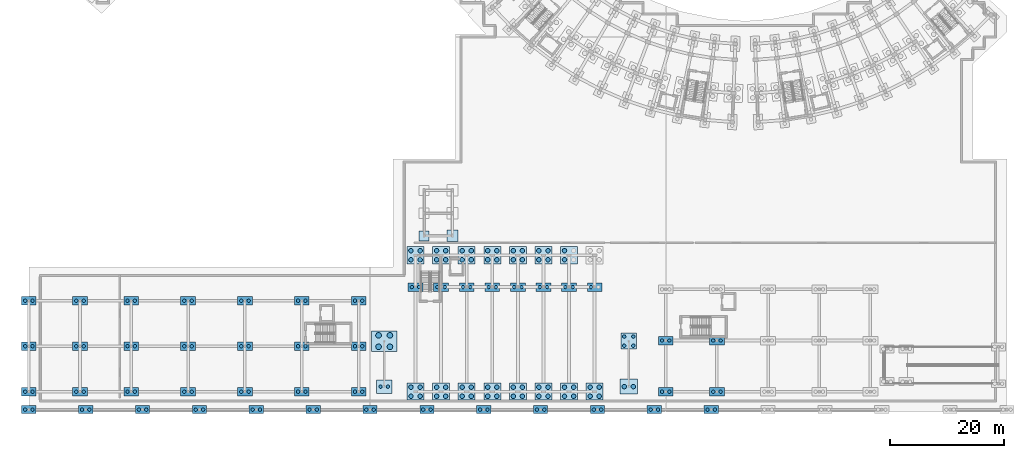
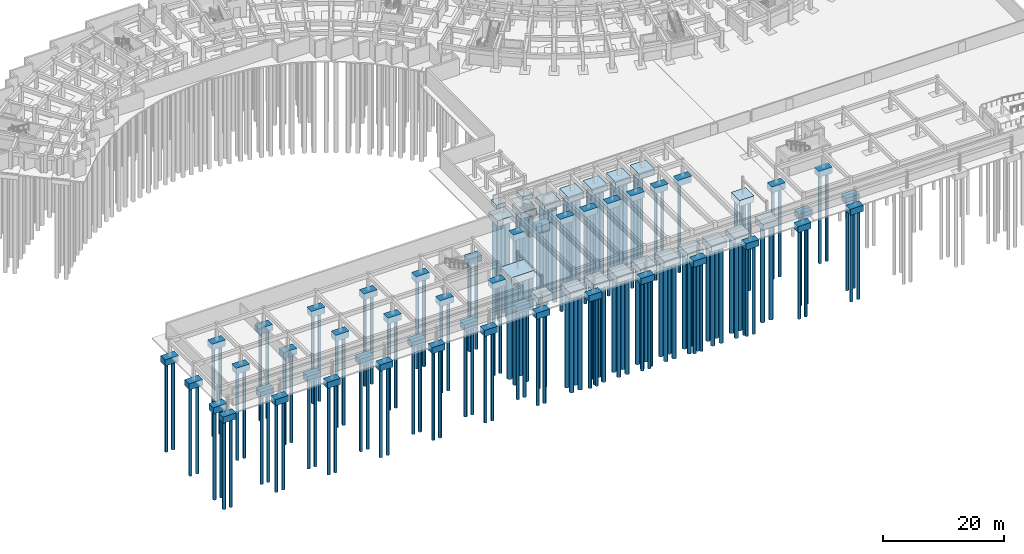
# One storey, part 1 of 32: 161 piles, 67 footings.
"""IFC4 building model written with IfcOpenShell, lengths in metres."""

from ifc_helpers import new_model, si_unit, direction, frame, origin, origin_2d, place, context, subcontext, project, spatial, rectangle, circle, extrude, material, material_profile, profile_set, type_object, element, save


model = new_model("IFC4")

# Units and contexts
model_context = context("Model", 3, precision=1e-05, world=origin(), true_north=direction((0.0, 1.0)))
body_context = subcontext(model_context, "Body", "Model", "MODEL_VIEW")
ifc_project = project(units=[si_unit("LENGTHUNIT", "METRE"), si_unit("AREAUNIT", "SQUARE_METRE"), si_unit("VOLUMEUNIT", "CUBIC_METRE"), si_unit("PLANEANGLEUNIT", "RADIAN"), si_unit("MASSUNIT", "GRAM", prefix="KILO")], contexts=[model_context])

# Site, building, storey
site_placement = place(None, origin())
site = spatial("IfcSite", under=ifc_project, at=site_placement, CompositionType="ELEMENT")
building_placement = place(site_placement, origin())
building = spatial("IfcBuilding", under=site, at=building_placement, Name="Zimvara Arc Housing Community", CompositionType="ELEMENT")
storey_placement = place(building_placement, frame((0.0, 0.0, -3.60009765625)))
storey = spatial("IfcBuildingStorey", under=building, at=storey_placement, Name="B1", CompositionType="ELEMENT", Elevation=-3.60009765625)

# Footings
ifc_material_1 = material(Name="Concrete C35/45", Category="concrete")
footing_type_1 = type_object("IfcFootingType", Name="FTG-PAD-1800x1800x900", PredefinedType="PAD_FOOTING", material=ifc_material_1)
footing_1_placement = place(storey_placement, frame((69.5, 31.0, -0.89990234375), z_axis=(0.0, 0.0, 1.0), x_axis=(1.0, 0.0, 0.0)))
element("IfcFooting", 1, at=footing_1_placement, inside=storey, type_object=footing_type_1, Name="ftg:pad:1", PredefinedType="PAD_FOOTING", context=body_context, shape_type="SweptSolid", body=[
    extrude(rectangle(XDim=1.800048828125, YDim=1.800048828125, at=origin_2d()), origin(), (0.0, 0.0, 1.0), 0.89990234375),
])
ifc_material_2 = material(Name="Concrete C35/45", Category="concrete")
footing_type_2 = type_object("IfcFootingType", Name="FTG-PAD-2000x2000x950", PredefinedType="PAD_FOOTING", material=ifc_material_2)
footing_2_placement = place(storey_placement, frame((74.5, 31.0, -0.94970703125), z_axis=(0.0, 0.0, 1.0), x_axis=(1.0, 0.0, 0.0)))
element("IfcFooting", 2, at=footing_2_placement, inside=storey, type_object=footing_type_2, Name="ftg:pad:2", PredefinedType="PAD_FOOTING", context=body_context, shape_type="SweptSolid", body=[
    extrude(rectangle(XDim=2.0, YDim=2.0, at=origin_2d()), origin(), (0.0, 0.0, 1.0), 0.949951171875),
])
ifc_material_3 = material(Name="Concrete C35/45", Category="concrete")
footing_type_3 = type_object("IfcFootingType", Name="FTG-PC2-2200x1400x1250", PredefinedType="PILE_CAP", material=ifc_material_3)
for number, where, z_axis, x_axis, name in (
    (3, (0.0, 0.449951171875, -1.25), (0.0, 0.0, 1.0), (1.0, 0.0, 0.0), "ftg:colonnade:0"),
    (4, (10.0, 0.449951171875, -1.25), (0.0, 0.0, 1.0), (1.0, 0.0, 0.0), "ftg:colonnade:1"),
    (5, (20.0, 0.449951171875, -1.25), (0.0, 0.0, 1.0), (1.0, 0.0, 0.0), "ftg:colonnade:2"),
    (6, (30.0, 0.449951171875, -1.25), (0.0, 0.0, 1.0), (1.0, 0.0, 0.0), "ftg:colonnade:3"),
    (7, (40.0, 0.449951171875, -1.25), (0.0, 0.0, 1.0), (1.0, 0.0, 0.0), "ftg:colonnade:4"),
    (8, (50.0, 0.449951171875, -1.25), (0.0, 0.0, 1.0), (1.0, 0.0, 0.0), "ftg:colonnade:5"),
    (9, (60.0, 0.449951171875, -1.25), (0.0, 0.0, 1.0), (1.0, 0.0, 0.0), "ftg:colonnade:6"),
    (10, (70.0, 0.449951171875, -1.25), (0.0, 0.0, 1.0), (1.0, 0.0, 0.0), "ftg:colonnade:7"),
    (11, (80.0, 0.449951171875, -1.25), (0.0, 0.0, 1.0), (1.0, 0.0, 0.0), "ftg:colonnade:8"),
    (12, (90.0, 0.449951171875, -1.25), (0.0, 0.0, 1.0), (1.0, 0.0, 0.0), "ftg:colonnade:9"),
    (13, (100.0, 0.449951171875, -1.25), (0.0, 0.0, 1.0), (1.0, 0.0, 0.0), "ftg:colonnade:10"),
    (14, (110.0, 0.449951171875, -1.25), (0.0, 0.0, 1.0), (1.0, 0.0, 0.0), "ftg:colonnade:11"),
    (15, (120.0, 0.449951171875, -1.25), (0.0, 0.0, 1.0), (1.0, 0.0, 0.0), "ftg:colonnade:12"),
):
    element("IfcFooting", number, at=place(storey_placement, frame(where, z_axis=z_axis, x_axis=x_axis)), inside=storey, type_object=footing_type_3, Name=name, PredefinedType="PILE_CAP", context=body_context, shape_type="SweptSolid", body=[
        extrude(rectangle(XDim=2.5, YDim=1.39990234375, at=origin_2d()), origin(), (0.0, 0.0, 1.0), 1.25),
    ])
ifc_material_4 = material(Name="Concrete C35/45", Category="concrete")
footing_type_4 = type_object("IfcFootingType", Name="FTG-PC2-2400x1500x1250", PredefinedType="PILE_CAP", material=ifc_material_4)
for number, where, z_axis, x_axis, name in (
    (16, (68.0, 22.0, -1.25), (0.0, 0.0, 1.0), (1.0, 0.0, 0.0), "ftg:hall:gal:x0"),
    (17, (72.5, 22.0, -1.25), (0.0, 0.0, 1.0), (1.0, 0.0, 0.0), "ftg:hall:gal:x1"),
    (18, (77.0, 22.0, -1.25), (0.0, 0.0, 1.0), (1.0, 0.0, 0.0), "ftg:hall:gal:x2"),
    (19, (81.5, 22.0, -1.25), (0.0, 0.0, 1.0), (1.0, 0.0, 0.0), "ftg:hall:gal:x3"),
    (20, (86.0, 22.0, -1.25), (0.0, 0.0, 1.0), (1.0, 0.0, 0.0), "ftg:hall:gal:x4"),
    (21, (90.5, 22.0, -1.25), (0.0, 0.0, 1.0), (1.0, 0.0, 0.0), "ftg:hall:gal:x5"),
    (22, (95.0, 22.0, -1.25), (0.0, 0.0, 1.0), (1.0, 0.0, 0.0), "ftg:hall:gal:x6"),
    (23, (99.5, 22.0, -1.25), (0.0, 0.0, 1.0), (1.0, 0.0, 0.0), "ftg:hall:gal:x7"),
    (24, (112.0, 3.60009765625, -1.25), (0.0, 0.0, 1.0), (1.0, 0.0, 0.0), "ftg:nursery:x0:y0"),
    (25, (112.0, 12.60009765625, -1.25), (0.0, 0.0, 1.0), (1.0, 0.0, 0.0), "ftg:nursery:x0:y1"),
    (26, (121.0, 3.60009765625, -1.25), (0.0, 0.0, 1.0), (1.0, 0.0, 0.0), "ftg:nursery:x1:y0"),
    (27, (121.0, 12.60009765625, -1.25), (0.0, 0.0, 1.0), (1.0, 0.0, 0.0), "ftg:nursery:x1:y1"),
    (28, (0.0, 3.60009765625, -1.25), (0.0, 0.0, 1.0), (1.0, 0.0, 0.0), "ftg:shops:x0:y0"),
    (29, (0.0, 11.60009765625, -1.25), (0.0, 0.0, 1.0), (1.0, 0.0, 0.0), "ftg:shops:x0:y1"),
    (30, (0.0, 19.60009765625, -1.25), (0.0, 0.0, 1.0), (1.0, 0.0, 0.0), "ftg:shops:x0:y2"),
    (31, (9.0, 3.60009765625, -1.25), (0.0, 0.0, 1.0), (1.0, 0.0, 0.0), "ftg:shops:x1:y0"),
    (32, (9.0, 11.60009765625, -1.25), (0.0, 0.0, 1.0), (1.0, 0.0, 0.0), "ftg:shops:x1:y1"),
    (33, (9.0, 19.60009765625, -1.25), (0.0, 0.0, 1.0), (1.0, 0.0, 0.0), "ftg:shops:x1:y2"),
    (34, (18.0, 3.60009765625, -1.25), (0.0, 0.0, 1.0), (1.0, 0.0, 0.0), "ftg:shops:x2:y0"),
    (35, (18.0, 11.60009765625, -1.25), (0.0, 0.0, 1.0), (1.0, 0.0, 0.0), "ftg:shops:x2:y1"),
    (36, (18.0, 19.60009765625, -1.25), (0.0, 0.0, 1.0), (1.0, 0.0, 0.0), "ftg:shops:x2:y2"),
    (37, (28.0, 3.60009765625, -1.25), (0.0, 0.0, 1.0), (1.0, 0.0, 0.0), "ftg:shops:x3:y0"),
    (38, (28.0, 11.60009765625, -1.25), (0.0, 0.0, 1.0), (1.0, 0.0, 0.0), "ftg:shops:x3:y1"),
    (39, (28.0, 19.60009765625, -1.25), (0.0, 0.0, 1.0), (1.0, 0.0, 0.0), "ftg:shops:x3:y2"),
    (40, (38.0, 3.60009765625, -1.25), (0.0, 0.0, 1.0), (1.0, 0.0, 0.0), "ftg:shops:x4:y0"),
    (41, (38.0, 11.60009765625, -1.25), (0.0, 0.0, 1.0), (1.0, 0.0, 0.0), "ftg:shops:x4:y1"),
    (42, (38.0, 19.60009765625, -1.25), (0.0, 0.0, 1.0), (1.0, 0.0, 0.0), "ftg:shops:x4:y2"),
    (43, (48.0, 3.60009765625, -1.25), (0.0, 0.0, 1.0), (1.0, 0.0, 0.0), "ftg:shops:x5:y0"),
    (44, (48.0, 11.60009765625, -1.25), (0.0, 0.0, 1.0), (1.0, 0.0, 0.0), "ftg:shops:x5:y1"),
    (45, (48.0, 19.60009765625, -1.25), (0.0, 0.0, 1.0), (1.0, 0.0, 0.0), "ftg:shops:x5:y2"),
    (46, (58.0, 3.60009765625, -1.25), (0.0, 0.0, 1.0), (1.0, 0.0, 0.0), "ftg:shops:x6:y0"),
    (47, (58.0, 11.60009765625, -1.25), (0.0, 0.0, 1.0), (1.0, 0.0, 0.0), "ftg:shops:x6:y1"),
    (48, (58.0, 19.60009765625, -1.25), (0.0, 0.0, 1.0), (1.0, 0.0, 0.0), "ftg:shops:x6:y2"),
):
    element("IfcFooting", number, at=place(storey_placement, frame(where, z_axis=z_axis, x_axis=x_axis)), inside=storey, type_object=footing_type_4, Name=name, PredefinedType="PILE_CAP", context=body_context, shape_type="SweptSolid", body=[
        extrude(rectangle(XDim=2.60009765625, YDim=1.5, at=origin_2d()), origin(), (0.0, 0.0, 1.0), 1.25),
    ])
ifc_material_5 = material(Name="Concrete C35/45", Category="concrete")
footing_type_5 = type_object("IfcFootingType", Name="FTG-PC3-2600x2400x1250", PredefinedType="PILE_CAP", material=ifc_material_5)
footing_3_placement = place(storey_placement, frame((62.5, 4.5, -1.25), z_axis=(0.0, 0.0, 1.0), x_axis=(1.0, 0.0, 0.0)))
element("IfcFooting", 49, at=footing_3_placement, inside=storey, type_object=footing_type_5, Name="ftg:portal:w", PredefinedType="PILE_CAP", context=body_context, shape_type="SweptSolid", body=[
    extrude(rectangle(XDim=2.760009765625, YDim=2.39990234375, at=origin_2d()), origin(), (0.0, 0.0, 1.0), 1.25),
])
ifc_material_6 = material(Name="Concrete C35/45", Category="concrete")
footing_type_6 = type_object("IfcFootingType", Name="FTG-PC3-2800x2600x1250", PredefinedType="PILE_CAP", material=ifc_material_6)
footing_4_placement = place(storey_placement, frame((105.5, 4.5, -1.25), z_axis=(0.0, 0.0, 1.0), x_axis=(1.0, 0.0, 0.0)))
element("IfcFooting", 50, at=footing_4_placement, inside=storey, type_object=footing_type_6, Name="ftg:portal:e", PredefinedType="PILE_CAP", context=body_context, shape_type="SweptSolid", body=[
    extrude(rectangle(XDim=3.0, YDim=2.60009765625, at=origin_2d()), origin(), (0.0, 0.0, 1.0), 1.25),
])
ifc_material_7 = material(Name="Concrete C35/45", Category="concrete")
footing_type_7 = type_object("IfcFootingType", Name="FTG-PC4-2600x2600x1250", PredefinedType="PILE_CAP", material=ifc_material_7)
footing_5_placement = place(storey_placement, frame((105.5, 12.5, -1.25), z_axis=(0.0, 0.0, 1.0), x_axis=(1.0, 0.0, 0.0)))
element("IfcFooting", 51, at=footing_5_placement, inside=storey, type_object=footing_type_7, Name="ftg:corepad:2", PredefinedType="PILE_CAP", context=body_context, shape_type="SweptSolid", body=[
    extrude(rectangle(XDim=2.800048828125, YDim=2.800048828125, at=origin_2d()), origin(), (0.0, 0.0, 1.0), 1.25),
])
ifc_material_8 = material(Name="Concrete C35/45", Category="concrete")
footing_type_8 = type_object("IfcFootingType", Name="FTG-PC4-2800x2800x1250", PredefinedType="PILE_CAP", material=ifc_material_8)
for number, where, z_axis, x_axis, name in (
    (52, (68.0, 3.60009765625, -1.25), (0.0, 0.0, 1.0), (1.0, 0.0, 0.0), "ftg:hall:x0:y0"),
    (53, (68.0, 27.60009765625, -1.25), (0.0, 0.0, 1.0), (1.0, 0.0, 0.0), "ftg:hall:x0:y1"),
    (54, (72.5, 3.60009765625, -1.25), (0.0, 0.0, 1.0), (1.0, 0.0, 0.0), "ftg:hall:x1:y0"),
    (55, (72.5, 27.60009765625, -1.25), (0.0, 0.0, 1.0), (1.0, 0.0, 0.0), "ftg:hall:x1:y1"),
    (56, (77.0, 3.60009765625, -1.25), (0.0, 0.0, 1.0), (1.0, 0.0, 0.0), "ftg:hall:x2:y0"),
    (57, (77.0, 27.60009765625, -1.25), (0.0, 0.0, 1.0), (1.0, 0.0, 0.0), "ftg:hall:x2:y1"),
    (58, (81.5, 3.60009765625, -1.25), (0.0, 0.0, 1.0), (1.0, 0.0, 0.0), "ftg:hall:x3:y0"),
    (59, (81.5, 27.60009765625, -1.25), (0.0, 0.0, 1.0), (1.0, 0.0, 0.0), "ftg:hall:x3:y1"),
    (60, (86.0, 3.60009765625, -1.25), (0.0, 0.0, 1.0), (1.0, 0.0, 0.0), "ftg:hall:x4:y0"),
    (61, (86.0, 27.60009765625, -1.25), (0.0, 0.0, 1.0), (1.0, 0.0, 0.0), "ftg:hall:x4:y1"),
    (62, (90.5, 3.60009765625, -1.25), (0.0, 0.0, 1.0), (1.0, 0.0, 0.0), "ftg:hall:x5:y0"),
    (63, (90.5, 27.60009765625, -1.25), (0.0, 0.0, 1.0), (1.0, 0.0, 0.0), "ftg:hall:x5:y1"),
    (64, (95.0, 3.60009765625, -1.25), (0.0, 0.0, 1.0), (1.0, 0.0, 0.0), "ftg:hall:x6:y0"),
    (65, (95.0, 27.60009765625, -1.25), (0.0, 0.0, 1.0), (1.0, 0.0, 0.0), "ftg:hall:x6:y1"),
    (66, (99.5, 3.60009765625, -1.25), (0.0, 0.0, 1.0), (1.0, 0.0, 0.0), "ftg:hall:x7:y0"),
):
    element("IfcFooting", number, at=place(storey_placement, frame(where, z_axis=z_axis, x_axis=x_axis)), inside=storey, type_object=footing_type_8, Name=name, PredefinedType="PILE_CAP", context=body_context, shape_type="SweptSolid", body=[
        extrude(rectangle(XDim=3.0, YDim=3.0, at=origin_2d()), origin(), (0.0, 0.0, 1.0), 1.25),
    ])
ifc_material_9 = material(Name="Concrete C35/45", Category="concrete")
footing_type_9 = type_object("IfcFootingType", Name="FTG-PC6-4400x3200x1450", PredefinedType="PILE_CAP", material=ifc_material_9)
footing_6_placement = place(storey_placement, frame((62.5, 12.5, -1.44970703125), z_axis=(0.0, 0.0, 1.0), x_axis=(1.0, 0.0, 0.0)))
element("IfcFooting", 67, at=footing_6_placement, inside=storey, type_object=footing_type_9, Name="ftg:corepad:1", PredefinedType="PILE_CAP", context=body_context, shape_type="SweptSolid", body=[
    extrude(rectangle(XDim=4.39990234375, YDim=3.60009765625, at=origin_2d()), origin(), (0.0, 0.0, 1.0), 1.449951171875),
])

# Piles
ifc_material_10 = material(Name="Concrete C35/45", Category="concrete")
ifc_material_profile_1 = material_profile(ifc_material_10, circle(Radius=0.5, at=origin_2d()), Name="PILE D1000")
ifc_profile_set_1 = profile_set([ifc_material_profile_1], Name="Concrete C35/45")
pile_type_1 = type_object("IfcPileType", Name="PIL-BORED-D1000", PredefinedType="BORED", material=ifc_profile_set_1)
for number, where, z_axis, x_axis, name in (
    (68, (61.5, 11.5, -1.349853515625), (0.0, 0.0, -1.0), (1.0, 0.0, 0.0), "pile:corepad:1:1"),
    (69, (63.5, 11.5, -1.349853515625), (0.0, 0.0, -1.0), (1.0, 0.0, 0.0), "pile:corepad:1:2"),
    (70, (63.5, 13.5, -1.349853515625), (0.0, 0.0, -1.0), (1.0, 0.0, 0.0), "pile:corepad:1:3"),
    (71, (61.5, 13.5, -1.349853515625), (0.0, 0.0, -1.0), (1.0, 0.0, 0.0), "pile:corepad:1:4"),
):
    element("IfcPile", number, at=place(storey_placement, frame(where, z_axis=z_axis, x_axis=x_axis)), inside=storey, type_object=pile_type_1, Name=name, PredefinedType="BORED", context=body_context, shape_type="SweptSolid", body=[
        extrude(circle(Radius=0.5, at=origin_2d()), origin(), (0.0, 0.0, 1.0), 21.0),
    ])
ifc_material_11 = material(Name="Concrete C35/45", Category="concrete")
ifc_material_profile_2 = material_profile(ifc_material_11, circle(Radius=0.300048828125, at=origin_2d()), Name="PILE D600")
ifc_profile_set_2 = profile_set([ifc_material_profile_2], Name="Concrete C35/45")
pile_type_2 = type_object("IfcPileType", Name="PIL-BORED-D600", PredefinedType="BORED", material=ifc_profile_set_2)
for number, where, z_axis, x_axis, name in (
    (72, (67.35009765625, 22.0, -1.14990234375), (0.0, 0.0, -1.0), (1.0, 0.0, 0.0), "pile:hall:gal:x0:1"),
    (73, (68.64990234375, 22.0, -1.14990234375), (0.0, 0.0, -1.0), (1.0, 0.0, 0.0), "pile:hall:gal:x0:2"),
    (74, (71.85009765625, 22.0, -1.14990234375), (0.0, 0.0, -1.0), (1.0, 0.0, 0.0), "pile:hall:gal:x1:1"),
    (75, (73.14990234375, 22.0, -1.14990234375), (0.0, 0.0, -1.0), (1.0, 0.0, 0.0), "pile:hall:gal:x1:2"),
    (76, (76.35009765625, 22.0, -1.14990234375), (0.0, 0.0, -1.0), (1.0, 0.0, 0.0), "pile:hall:gal:x2:1"),
    (77, (77.64990234375, 22.0, -1.14990234375), (0.0, 0.0, -1.0), (1.0, 0.0, 0.0), "pile:hall:gal:x2:2"),
    (78, (80.85009765625, 22.0, -1.14990234375), (0.0, 0.0, -1.0), (1.0, 0.0, 0.0), "pile:hall:gal:x3:1"),
    (79, (82.14990234375, 22.0, -1.14990234375), (0.0, 0.0, -1.0), (1.0, 0.0, 0.0), "pile:hall:gal:x3:2"),
    (80, (85.35009765625, 22.0, -1.14990234375), (0.0, 0.0, -1.0), (1.0, 0.0, 0.0), "pile:hall:gal:x4:1"),
    (81, (86.64990234375, 22.0, -1.14990234375), (0.0, 0.0, -1.0), (1.0, 0.0, 0.0), "pile:hall:gal:x4:2"),
    (82, (89.85009765625, 22.0, -1.14990234375), (0.0, 0.0, -1.0), (1.0, 0.0, 0.0), "pile:hall:gal:x5:1"),
    (83, (91.14990234375, 22.0, -1.14990234375), (0.0, 0.0, -1.0), (1.0, 0.0, 0.0), "pile:hall:gal:x5:2"),
    (84, (94.35009765625, 22.0, -1.14990234375), (0.0, 0.0, -1.0), (1.0, 0.0, 0.0), "pile:hall:gal:x6:1"),
    (85, (95.64990234375, 22.0, -1.14990234375), (0.0, 0.0, -1.0), (1.0, 0.0, 0.0), "pile:hall:gal:x6:2"),
    (86, (98.85009765625, 22.0, -1.14990234375), (0.0, 0.0, -1.0), (1.0, 0.0, 0.0), "pile:hall:gal:x7:1"),
    (87, (111.35009765625, 3.60009765625, -1.14990234375), (0.0, 0.0, -1.0), (1.0, 0.0, 0.0), "pile:nursery:x0:y0:1"),
    (88, (112.64990234375, 3.60009765625, -1.14990234375), (0.0, 0.0, -1.0), (1.0, 0.0, 0.0), "pile:nursery:x0:y0:2"),
    (89, (111.35009765625, 12.60009765625, -1.14990234375), (0.0, 0.0, -1.0), (1.0, 0.0, 0.0), "pile:nursery:x0:y1:1"),
    (90, (112.64990234375, 12.60009765625, -1.14990234375), (0.0, 0.0, -1.0), (1.0, 0.0, 0.0), "pile:nursery:x0:y1:2"),
    (91, (120.35009765625, 3.60009765625, -1.14990234375), (0.0, 0.0, -1.0), (1.0, 0.0, 0.0), "pile:nursery:x1:y0:1"),
    (92, (121.64990234375, 3.60009765625, -1.14990234375), (0.0, 0.0, -1.0), (1.0, 0.0, 0.0), "pile:nursery:x1:y0:2"),
    (93, (120.35009765625, 12.60009765625, -1.14990234375), (0.0, 0.0, -1.0), (1.0, 0.0, 0.0), "pile:nursery:x1:y1:1"),
    (94, (121.64990234375, 12.60009765625, -1.14990234375), (0.0, 0.0, -1.0), (1.0, 0.0, 0.0), "pile:nursery:x1:y1:2"),
    (95, (-0.64990234375, 3.60009765625, -1.14990234375), (0.0, 0.0, -1.0), (1.0, 0.0, 0.0), "pile:shops:x0:y0:1"),
    (96, (0.64990234375, 3.60009765625, -1.14990234375), (0.0, 0.0, -1.0), (1.0, 0.0, 0.0), "pile:shops:x0:y0:2"),
    (97, (-0.64990234375, 11.60009765625, -1.14990234375), (0.0, 0.0, -1.0), (1.0, 0.0, 0.0), "pile:shops:x0:y1:1"),
    (98, (0.64990234375, 11.60009765625, -1.14990234375), (0.0, 0.0, -1.0), (1.0, 0.0, 0.0), "pile:shops:x0:y1:2"),
    (99, (-0.64990234375, 19.60009765625, -1.14990234375), (0.0, 0.0, -1.0), (1.0, 0.0, 0.0), "pile:shops:x0:y2:1"),
    (100, (0.64990234375, 19.60009765625, -1.14990234375), (0.0, 0.0, -1.0), (1.0, 0.0, 0.0), "pile:shops:x0:y2:2"),
    (101, (8.35009765625, 3.60009765625, -1.14990234375), (0.0, 0.0, -1.0), (1.0, 0.0, 0.0), "pile:shops:x1:y0:1"),
    (102, (9.64990234375, 3.60009765625, -1.14990234375), (0.0, 0.0, -1.0), (1.0, 0.0, 0.0), "pile:shops:x1:y0:2"),
    (103, (8.35009765625, 11.60009765625, -1.14990234375), (0.0, 0.0, -1.0), (1.0, 0.0, 0.0), "pile:shops:x1:y1:1"),
    (104, (9.64990234375, 11.60009765625, -1.14990234375), (0.0, 0.0, -1.0), (1.0, 0.0, 0.0), "pile:shops:x1:y1:2"),
    (105, (8.35009765625, 19.60009765625, -1.14990234375), (0.0, 0.0, -1.0), (1.0, 0.0, 0.0), "pile:shops:x1:y2:1"),
    (106, (9.64990234375, 19.60009765625, -1.14990234375), (0.0, 0.0, -1.0), (1.0, 0.0, 0.0), "pile:shops:x1:y2:2"),
    (107, (17.35009765625, 3.60009765625, -1.14990234375), (0.0, 0.0, -1.0), (1.0, 0.0, 0.0), "pile:shops:x2:y0:1"),
    (108, (18.64990234375, 3.60009765625, -1.14990234375), (0.0, 0.0, -1.0), (1.0, 0.0, 0.0), "pile:shops:x2:y0:2"),
    (109, (17.35009765625, 11.60009765625, -1.14990234375), (0.0, 0.0, -1.0), (1.0, 0.0, 0.0), "pile:shops:x2:y1:1"),
    (110, (18.64990234375, 11.60009765625, -1.14990234375), (0.0, 0.0, -1.0), (1.0, 0.0, 0.0), "pile:shops:x2:y1:2"),
    (111, (17.35009765625, 19.60009765625, -1.14990234375), (0.0, 0.0, -1.0), (1.0, 0.0, 0.0), "pile:shops:x2:y2:1"),
    (112, (18.64990234375, 19.60009765625, -1.14990234375), (0.0, 0.0, -1.0), (1.0, 0.0, 0.0), "pile:shops:x2:y2:2"),
    (113, (27.35009765625, 3.60009765625, -1.14990234375), (0.0, 0.0, -1.0), (1.0, 0.0, 0.0), "pile:shops:x3:y0:1"),
    (114, (28.64990234375, 3.60009765625, -1.14990234375), (0.0, 0.0, -1.0), (1.0, 0.0, 0.0), "pile:shops:x3:y0:2"),
    (115, (27.35009765625, 11.60009765625, -1.14990234375), (0.0, 0.0, -1.0), (1.0, 0.0, 0.0), "pile:shops:x3:y1:1"),
    (116, (28.64990234375, 11.60009765625, -1.14990234375), (0.0, 0.0, -1.0), (1.0, 0.0, 0.0), "pile:shops:x3:y1:2"),
    (117, (27.35009765625, 19.60009765625, -1.14990234375), (0.0, 0.0, -1.0), (1.0, 0.0, 0.0), "pile:shops:x3:y2:1"),
    (118, (28.64990234375, 19.60009765625, -1.14990234375), (0.0, 0.0, -1.0), (1.0, 0.0, 0.0), "pile:shops:x3:y2:2"),
    (119, (37.35009765625, 3.60009765625, -1.14990234375), (0.0, 0.0, -1.0), (1.0, 0.0, 0.0), "pile:shops:x4:y0:1"),
    (120, (38.64990234375, 3.60009765625, -1.14990234375), (0.0, 0.0, -1.0), (1.0, 0.0, 0.0), "pile:shops:x4:y0:2"),
    (121, (37.35009765625, 11.60009765625, -1.14990234375), (0.0, 0.0, -1.0), (1.0, 0.0, 0.0), "pile:shops:x4:y1:1"),
    (122, (38.64990234375, 11.60009765625, -1.14990234375), (0.0, 0.0, -1.0), (1.0, 0.0, 0.0), "pile:shops:x4:y1:2"),
    (123, (37.35009765625, 19.60009765625, -1.14990234375), (0.0, 0.0, -1.0), (1.0, 0.0, 0.0), "pile:shops:x4:y2:1"),
    (124, (38.64990234375, 19.60009765625, -1.14990234375), (0.0, 0.0, -1.0), (1.0, 0.0, 0.0), "pile:shops:x4:y2:2"),
    (125, (47.35009765625, 3.60009765625, -1.14990234375), (0.0, 0.0, -1.0), (1.0, 0.0, 0.0), "pile:shops:x5:y0:1"),
    (126, (48.64990234375, 3.60009765625, -1.14990234375), (0.0, 0.0, -1.0), (1.0, 0.0, 0.0), "pile:shops:x5:y0:2"),
    (127, (47.35009765625, 11.60009765625, -1.14990234375), (0.0, 0.0, -1.0), (1.0, 0.0, 0.0), "pile:shops:x5:y1:1"),
    (128, (48.64990234375, 11.60009765625, -1.14990234375), (0.0, 0.0, -1.0), (1.0, 0.0, 0.0), "pile:shops:x5:y1:2"),
    (129, (47.35009765625, 19.60009765625, -1.14990234375), (0.0, 0.0, -1.0), (1.0, 0.0, 0.0), "pile:shops:x5:y2:1"),
    (130, (48.64990234375, 19.60009765625, -1.14990234375), (0.0, 0.0, -1.0), (1.0, 0.0, 0.0), "pile:shops:x5:y2:2"),
    (131, (57.35009765625, 3.60009765625, -1.14990234375), (0.0, 0.0, -1.0), (1.0, 0.0, 0.0), "pile:shops:x6:y0:1"),
    (132, (58.64990234375, 3.60009765625, -1.14990234375), (0.0, 0.0, -1.0), (1.0, 0.0, 0.0), "pile:shops:x6:y0:2"),
    (133, (57.35009765625, 11.60009765625, -1.14990234375), (0.0, 0.0, -1.0), (1.0, 0.0, 0.0), "pile:shops:x6:y1:1"),
    (134, (58.64990234375, 11.60009765625, -1.14990234375), (0.0, 0.0, -1.0), (1.0, 0.0, 0.0), "pile:shops:x6:y1:2"),
    (135, (57.35009765625, 19.60009765625, -1.14990234375), (0.0, 0.0, -1.0), (1.0, 0.0, 0.0), "pile:shops:x6:y2:1"),
    (136, (58.64990234375, 19.60009765625, -1.14990234375), (0.0, 0.0, -1.0), (1.0, 0.0, 0.0), "pile:shops:x6:y2:2"),
    (137, (-0.64990234375, 0.449951171875, -1.14990234375), (0.0, 0.0, -1.0), (1.0, 0.0, 0.0), "pile:colonnade:0:1"),
    (138, (0.64990234375, 0.449951171875, -1.14990234375), (0.0, 0.0, -1.0), (1.0, 0.0, 0.0), "pile:colonnade:0:2"),
    (139, (9.35009765625, 0.449951171875, -1.14990234375), (0.0, 0.0, -1.0), (1.0, 0.0, 0.0), "pile:colonnade:1:1"),
    (140, (10.64990234375, 0.449951171875, -1.14990234375), (0.0, 0.0, -1.0), (1.0, 0.0, 0.0), "pile:colonnade:1:2"),
    (141, (19.35009765625, 0.449951171875, -1.14990234375), (0.0, 0.0, -1.0), (1.0, 0.0, 0.0), "pile:colonnade:2:1"),
    (142, (20.64990234375, 0.449951171875, -1.14990234375), (0.0, 0.0, -1.0), (1.0, 0.0, 0.0), "pile:colonnade:2:2"),
    (143, (29.35009765625, 0.449951171875, -1.14990234375), (0.0, 0.0, -1.0), (1.0, 0.0, 0.0), "pile:colonnade:3:1"),
    (144, (30.64990234375, 0.449951171875, -1.14990234375), (0.0, 0.0, -1.0), (1.0, 0.0, 0.0), "pile:colonnade:3:2"),
    (145, (39.35009765625, 0.449951171875, -1.14990234375), (0.0, 0.0, -1.0), (1.0, 0.0, 0.0), "pile:colonnade:4:1"),
    (146, (40.64990234375, 0.449951171875, -1.14990234375), (0.0, 0.0, -1.0), (1.0, 0.0, 0.0), "pile:colonnade:4:2"),
    (147, (49.35009765625, 0.449951171875, -1.14990234375), (0.0, 0.0, -1.0), (1.0, 0.0, 0.0), "pile:colonnade:5:1"),
    (148, (50.64990234375, 0.449951171875, -1.14990234375), (0.0, 0.0, -1.0), (1.0, 0.0, 0.0), "pile:colonnade:5:2"),
    (149, (59.35009765625, 0.449951171875, -1.14990234375), (0.0, 0.0, -1.0), (1.0, 0.0, 0.0), "pile:colonnade:6:1"),
    (150, (60.64990234375, 0.449951171875, -1.14990234375), (0.0, 0.0, -1.0), (1.0, 0.0, 0.0), "pile:colonnade:6:2"),
    (151, (69.35009765625, 0.449951171875, -1.14990234375), (0.0, 0.0, -1.0), (1.0, 0.0, 0.0), "pile:colonnade:7:1"),
    (152, (70.64990234375, 0.449951171875, -1.14990234375), (0.0, 0.0, -1.0), (1.0, 0.0, 0.0), "pile:colonnade:7:2"),
    (153, (79.35009765625, 0.449951171875, -1.14990234375), (0.0, 0.0, -1.0), (1.0, 0.0, 0.0), "pile:colonnade:8:1"),
    (154, (80.64990234375, 0.449951171875, -1.14990234375), (0.0, 0.0, -1.0), (1.0, 0.0, 0.0), "pile:colonnade:8:2"),
    (155, (89.35009765625, 0.449951171875, -1.14990234375), (0.0, 0.0, -1.0), (1.0, 0.0, 0.0), "pile:colonnade:9:1"),
    (156, (90.64990234375, 0.449951171875, -1.14990234375), (0.0, 0.0, -1.0), (1.0, 0.0, 0.0), "pile:colonnade:9:2"),
    (157, (99.35009765625, 0.449951171875, -1.14990234375), (0.0, 0.0, -1.0), (1.0, 0.0, 0.0), "pile:colonnade:10:1"),
    (158, (100.64990234375, 0.449951171875, -1.14990234375), (0.0, 0.0, -1.0), (1.0, 0.0, 0.0), "pile:colonnade:10:2"),
    (159, (109.35009765625, 0.449951171875, -1.14990234375), (0.0, 0.0, -1.0), (1.0, 0.0, 0.0), "pile:colonnade:11:1"),
    (160, (110.64990234375, 0.449951171875, -1.14990234375), (0.0, 0.0, -1.0), (1.0, 0.0, 0.0), "pile:colonnade:11:2"),
    (161, (119.35009765625, 0.449951171875, -1.14990234375), (0.0, 0.0, -1.0), (1.0, 0.0, 0.0), "pile:colonnade:12:1"),
    (162, (120.64990234375, 0.449951171875, -1.14990234375), (0.0, 0.0, -1.0), (1.0, 0.0, 0.0), "pile:colonnade:12:2"),
    (163, (61.85009765625, 4.5, -1.14990234375), (0.0, 0.0, -1.0), (1.0, 0.0, 0.0), "pile:portal:w:1"),
    (164, (63.14990234375, 4.5, -1.14990234375), (0.0, 0.0, -1.0), (1.0, 0.0, 0.0), "pile:portal:w:2"),
    (165, (104.699951171875, 11.699951171875, -1.14990234375), (0.0, 0.0, -1.0), (1.0, 0.0, 0.0), "pile:corepad:2:1"),
    (166, (106.300048828125, 11.699951171875, -1.14990234375), (0.0, 0.0, -1.0), (1.0, 0.0, 0.0), "pile:corepad:2:2"),
    (167, (106.300048828125, 13.300048828125, -1.14990234375), (0.0, 0.0, -1.0), (1.0, 0.0, 0.0), "pile:corepad:2:3"),
    (168, (104.699951171875, 13.300048828125, -1.14990234375), (0.0, 0.0, -1.0), (1.0, 0.0, 0.0), "pile:corepad:2:4"),
):
    element("IfcPile", number, at=place(storey_placement, frame(where, z_axis=z_axis, x_axis=x_axis)), inside=storey, type_object=pile_type_2, Name=name, PredefinedType="BORED", context=body_context, shape_type="SweptSolid", body=[
        extrude(circle(Radius=0.300048828125, at=origin_2d()), origin(), (0.0, 0.0, 1.0), 18.0),
    ])
ifc_material_12 = material(Name="Concrete C35/45", Category="concrete")
ifc_material_profile_3 = material_profile(ifc_material_12, circle(Radius=0.39990234375, at=origin_2d()), Name="PILE D800")
ifc_profile_set_3 = profile_set([ifc_material_profile_3], Name="Concrete C35/45")
pile_type_3 = type_object("IfcPileType", Name="PIL-BORED-D800", PredefinedType="BORED", material=ifc_profile_set_3)
for number, where, z_axis, x_axis, name in (
    (169, (67.199951171875, 2.800048828125, -1.14990234375), (0.0, 0.0, -1.0), (1.0, 0.0, 0.0), "pile:hall:x0:y0:1"),
    (170, (68.800048828125, 2.800048828125, -1.14990234375), (0.0, 0.0, -1.0), (1.0, 0.0, 0.0), "pile:hall:x0:y0:2"),
    (171, (68.800048828125, 4.39990234375, -1.14990234375), (0.0, 0.0, -1.0), (1.0, 0.0, 0.0), "pile:hall:x0:y0:3"),
    (172, (67.199951171875, 4.39990234375, -1.14990234375), (0.0, 0.0, -1.0), (1.0, 0.0, 0.0), "pile:hall:x0:y0:4"),
    (173, (67.199951171875, 26.800048828125, -1.14990234375), (0.0, 0.0, -1.0), (1.0, 0.0, 0.0), "pile:hall:x0:y1:1"),
    (174, (68.800048828125, 26.800048828125, -1.14990234375), (0.0, 0.0, -1.0), (1.0, 0.0, 0.0), "pile:hall:x0:y1:2"),
    (175, (68.800048828125, 28.39990234375, -1.14990234375), (0.0, 0.0, -1.0), (1.0, 0.0, 0.0), "pile:hall:x0:y1:3"),
    (176, (67.199951171875, 28.39990234375, -1.14990234375), (0.0, 0.0, -1.0), (1.0, 0.0, 0.0), "pile:hall:x0:y1:4"),
    (177, (71.699951171875, 2.800048828125, -1.14990234375), (0.0, 0.0, -1.0), (1.0, 0.0, 0.0), "pile:hall:x1:y0:1"),
    (178, (73.300048828125, 2.800048828125, -1.14990234375), (0.0, 0.0, -1.0), (1.0, 0.0, 0.0), "pile:hall:x1:y0:2"),
    (179, (73.300048828125, 4.39990234375, -1.14990234375), (0.0, 0.0, -1.0), (1.0, 0.0, 0.0), "pile:hall:x1:y0:3"),
    (180, (71.699951171875, 4.39990234375, -1.14990234375), (0.0, 0.0, -1.0), (1.0, 0.0, 0.0), "pile:hall:x1:y0:4"),
    (181, (71.699951171875, 26.800048828125, -1.14990234375), (0.0, 0.0, -1.0), (1.0, 0.0, 0.0), "pile:hall:x1:y1:1"),
    (182, (73.300048828125, 26.800048828125, -1.14990234375), (0.0, 0.0, -1.0), (1.0, 0.0, 0.0), "pile:hall:x1:y1:2"),
    (183, (73.300048828125, 28.39990234375, -1.14990234375), (0.0, 0.0, -1.0), (1.0, 0.0, 0.0), "pile:hall:x1:y1:3"),
    (184, (71.699951171875, 28.39990234375, -1.14990234375), (0.0, 0.0, -1.0), (1.0, 0.0, 0.0), "pile:hall:x1:y1:4"),
    (185, (76.199951171875, 2.800048828125, -1.14990234375), (0.0, 0.0, -1.0), (1.0, 0.0, 0.0), "pile:hall:x2:y0:1"),
    (186, (77.800048828125, 2.800048828125, -1.14990234375), (0.0, 0.0, -1.0), (1.0, 0.0, 0.0), "pile:hall:x2:y0:2"),
    (187, (77.800048828125, 4.39990234375, -1.14990234375), (0.0, 0.0, -1.0), (1.0, 0.0, 0.0), "pile:hall:x2:y0:3"),
    (188, (76.199951171875, 4.39990234375, -1.14990234375), (0.0, 0.0, -1.0), (1.0, 0.0, 0.0), "pile:hall:x2:y0:4"),
    (189, (76.199951171875, 26.800048828125, -1.14990234375), (0.0, 0.0, -1.0), (1.0, 0.0, 0.0), "pile:hall:x2:y1:1"),
    (190, (77.800048828125, 26.800048828125, -1.14990234375), (0.0, 0.0, -1.0), (1.0, 0.0, 0.0), "pile:hall:x2:y1:2"),
    (191, (77.800048828125, 28.39990234375, -1.14990234375), (0.0, 0.0, -1.0), (1.0, 0.0, 0.0), "pile:hall:x2:y1:3"),
    (192, (76.199951171875, 28.39990234375, -1.14990234375), (0.0, 0.0, -1.0), (1.0, 0.0, 0.0), "pile:hall:x2:y1:4"),
    (193, (80.699951171875, 2.800048828125, -1.14990234375), (0.0, 0.0, -1.0), (1.0, 0.0, 0.0), "pile:hall:x3:y0:1"),
    (194, (82.300048828125, 2.800048828125, -1.14990234375), (0.0, 0.0, -1.0), (1.0, 0.0, 0.0), "pile:hall:x3:y0:2"),
    (195, (82.300048828125, 4.39990234375, -1.14990234375), (0.0, 0.0, -1.0), (1.0, 0.0, 0.0), "pile:hall:x3:y0:3"),
    (196, (80.699951171875, 4.39990234375, -1.14990234375), (0.0, 0.0, -1.0), (1.0, 0.0, 0.0), "pile:hall:x3:y0:4"),
    (197, (80.699951171875, 26.800048828125, -1.14990234375), (0.0, 0.0, -1.0), (1.0, 0.0, 0.0), "pile:hall:x3:y1:1"),
    (198, (82.300048828125, 26.800048828125, -1.14990234375), (0.0, 0.0, -1.0), (1.0, 0.0, 0.0), "pile:hall:x3:y1:2"),
    (199, (82.300048828125, 28.39990234375, -1.14990234375), (0.0, 0.0, -1.0), (1.0, 0.0, 0.0), "pile:hall:x3:y1:3"),
    (200, (80.699951171875, 28.39990234375, -1.14990234375), (0.0, 0.0, -1.0), (1.0, 0.0, 0.0), "pile:hall:x3:y1:4"),
    (201, (85.199951171875, 2.800048828125, -1.14990234375), (0.0, 0.0, -1.0), (1.0, 0.0, 0.0), "pile:hall:x4:y0:1"),
    (202, (86.800048828125, 2.800048828125, -1.14990234375), (0.0, 0.0, -1.0), (1.0, 0.0, 0.0), "pile:hall:x4:y0:2"),
    (203, (86.800048828125, 4.39990234375, -1.14990234375), (0.0, 0.0, -1.0), (1.0, 0.0, 0.0), "pile:hall:x4:y0:3"),
    (204, (85.199951171875, 4.39990234375, -1.14990234375), (0.0, 0.0, -1.0), (1.0, 0.0, 0.0), "pile:hall:x4:y0:4"),
    (205, (85.199951171875, 26.800048828125, -1.14990234375), (0.0, 0.0, -1.0), (1.0, 0.0, 0.0), "pile:hall:x4:y1:1"),
    (206, (86.800048828125, 26.800048828125, -1.14990234375), (0.0, 0.0, -1.0), (1.0, 0.0, 0.0), "pile:hall:x4:y1:2"),
    (207, (86.800048828125, 28.39990234375, -1.14990234375), (0.0, 0.0, -1.0), (1.0, 0.0, 0.0), "pile:hall:x4:y1:3"),
    (208, (85.199951171875, 28.39990234375, -1.14990234375), (0.0, 0.0, -1.0), (1.0, 0.0, 0.0), "pile:hall:x4:y1:4"),
    (209, (89.699951171875, 2.800048828125, -1.14990234375), (0.0, 0.0, -1.0), (1.0, 0.0, 0.0), "pile:hall:x5:y0:1"),
    (210, (91.300048828125, 2.800048828125, -1.14990234375), (0.0, 0.0, -1.0), (1.0, 0.0, 0.0), "pile:hall:x5:y0:2"),
    (211, (91.300048828125, 4.39990234375, -1.14990234375), (0.0, 0.0, -1.0), (1.0, 0.0, 0.0), "pile:hall:x5:y0:3"),
    (212, (89.699951171875, 4.39990234375, -1.14990234375), (0.0, 0.0, -1.0), (1.0, 0.0, 0.0), "pile:hall:x5:y0:4"),
    (213, (89.699951171875, 26.800048828125, -1.14990234375), (0.0, 0.0, -1.0), (1.0, 0.0, 0.0), "pile:hall:x5:y1:1"),
    (214, (91.300048828125, 26.800048828125, -1.14990234375), (0.0, 0.0, -1.0), (1.0, 0.0, 0.0), "pile:hall:x5:y1:2"),
    (215, (91.300048828125, 28.39990234375, -1.14990234375), (0.0, 0.0, -1.0), (1.0, 0.0, 0.0), "pile:hall:x5:y1:3"),
    (216, (89.699951171875, 28.39990234375, -1.14990234375), (0.0, 0.0, -1.0), (1.0, 0.0, 0.0), "pile:hall:x5:y1:4"),
    (217, (94.199951171875, 2.800048828125, -1.14990234375), (0.0, 0.0, -1.0), (1.0, 0.0, 0.0), "pile:hall:x6:y0:1"),
    (218, (95.800048828125, 2.800048828125, -1.14990234375), (0.0, 0.0, -1.0), (1.0, 0.0, 0.0), "pile:hall:x6:y0:2"),
    (219, (95.800048828125, 4.39990234375, -1.14990234375), (0.0, 0.0, -1.0), (1.0, 0.0, 0.0), "pile:hall:x6:y0:3"),
    (220, (94.199951171875, 4.39990234375, -1.14990234375), (0.0, 0.0, -1.0), (1.0, 0.0, 0.0), "pile:hall:x6:y0:4"),
    (221, (94.199951171875, 26.800048828125, -1.14990234375), (0.0, 0.0, -1.0), (1.0, 0.0, 0.0), "pile:hall:x6:y1:1"),
    (222, (94.199951171875, 28.39990234375, -1.14990234375), (0.0, 0.0, -1.0), (1.0, 0.0, 0.0), "pile:hall:x6:y1:4"),
    (223, (98.699951171875, 2.800048828125, -1.14990234375), (0.0, 0.0, -1.0), (1.0, 0.0, 0.0), "pile:hall:x7:y0:1"),
    (224, (100.300048828125, 2.800048828125, -1.14990234375), (0.0, 0.0, -1.0), (1.0, 0.0, 0.0), "pile:hall:x7:y0:2"),
    (225, (100.300048828125, 4.39990234375, -1.14990234375), (0.0, 0.0, -1.0), (1.0, 0.0, 0.0), "pile:hall:x7:y0:3"),
    (226, (98.699951171875, 4.39990234375, -1.14990234375), (0.0, 0.0, -1.0), (1.0, 0.0, 0.0), "pile:hall:x7:y0:4"),
    (227, (104.699951171875, 4.5, -1.14990234375), (0.0, 0.0, -1.0), (1.0, 0.0, 0.0), "pile:portal:e:1"),
    (228, (106.300048828125, 4.5, -1.14990234375), (0.0, 0.0, -1.0), (1.0, 0.0, 0.0), "pile:portal:e:2"),
):
    element("IfcPile", number, at=place(storey_placement, frame(where, z_axis=z_axis, x_axis=x_axis)), inside=storey, type_object=pile_type_3, Name=name, PredefinedType="BORED", context=body_context, shape_type="SweptSolid", body=[
        extrude(circle(Radius=0.39990234375, at=origin_2d()), origin(), (0.0, 0.0, 1.0), 19.5),
    ])

save(model, "model.ifc")
